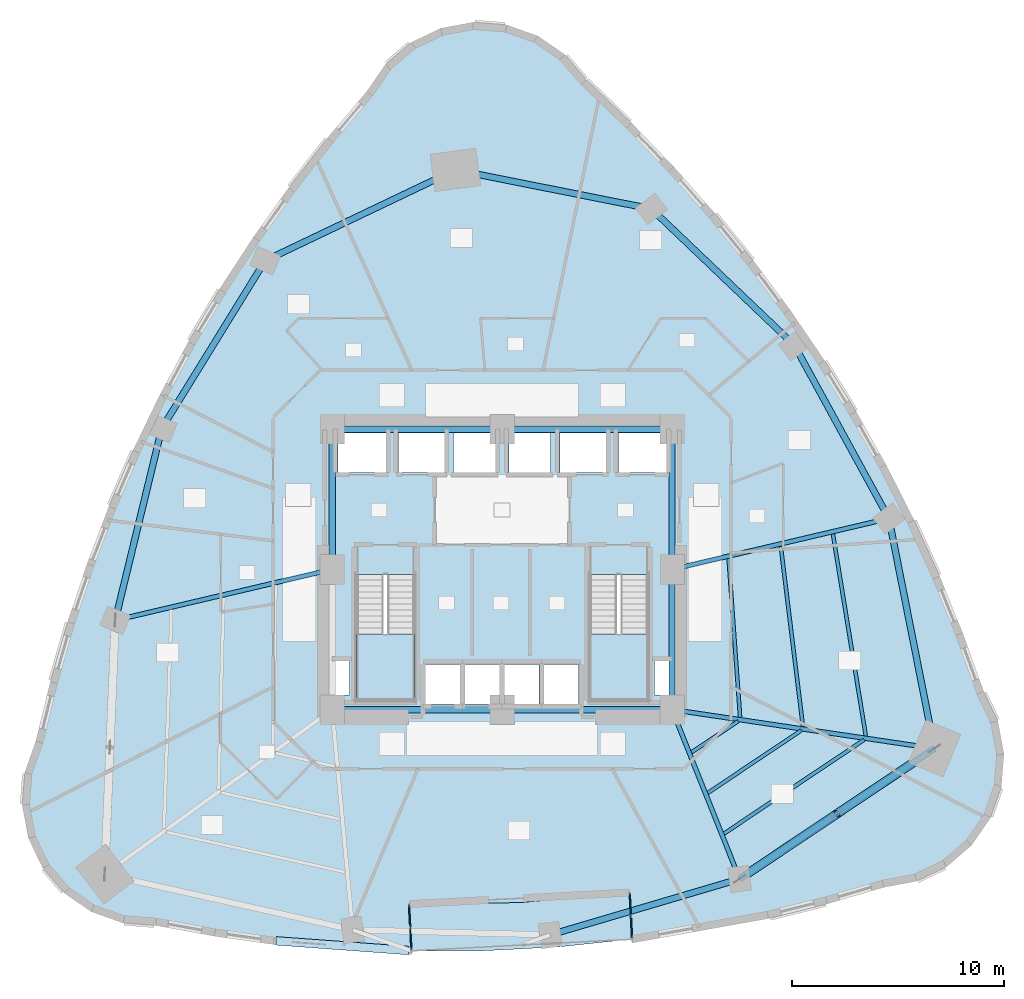
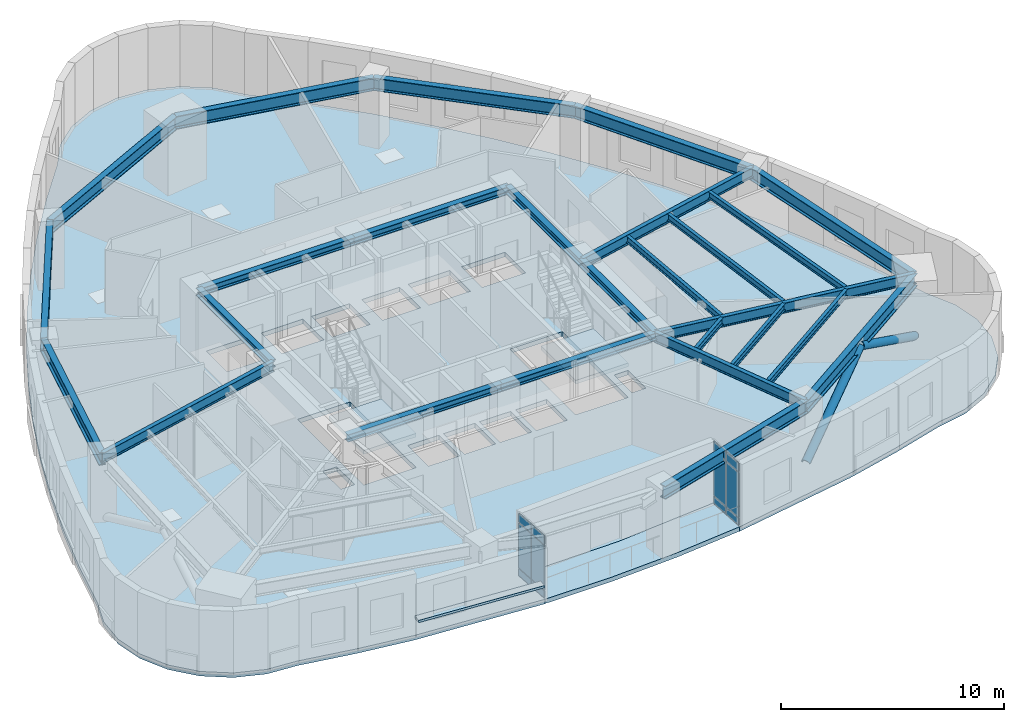
# One storey, part 3 of 11: 26 beams, 13 plates, 4 slabs, 2 members, 4 elements without a shape of their own.
"""IFC4 building model written with IfcOpenShell, lengths in metres."""

from ifc_helpers import new_model, si_unit, direction, frame, origin, origin_2d, place, context, subcontext, project, spatial, polyline, rectangle, hollow_circle, i_section, outline, extrude, material, layer, layer_set, material_profile, profile_set, type_object, element, aggregate, save


model = new_model("IFC4")

# Units and contexts
model_context = context("Model", 3, precision=1e-05, world=origin(), true_north=direction((0.0, 1.0)))
body_context = subcontext(model_context, "Body", "Model", "MODEL_VIEW")
ifc_project = project(units=[si_unit("LENGTHUNIT", "METRE"), si_unit("AREAUNIT", "SQUARE_METRE"), si_unit("VOLUMEUNIT", "CUBIC_METRE"), si_unit("PLANEANGLEUNIT", "RADIAN"), si_unit("MASSUNIT", "GRAM", prefix="KILO")], contexts=[model_context])

# Site, building, storey
site_placement = place(None, origin())
site = spatial("IfcSite", under=ifc_project, at=site_placement, CompositionType="ELEMENT")
building_placement = place(site_placement, origin())
building = spatial("IfcBuilding", under=site, at=building_placement, Name="Ndelora Gate Hotel", CompositionType="ELEMENT")
storey_placement = place(building_placement, frame((0.0, 0.0, 41.75)))
storey = spatial("IfcBuildingStorey", under=building, at=storey_placement, Name="L09", CompositionType="ELEMENT", Elevation=41.75)

# Beams
ifc_material_1 = material(Name="Steel S355", Category="steel")
ifc_material_profile_1 = material_profile(ifc_material_1, i_section(OverallWidth=0.300048828125, OverallDepth=0.39990234375, WebThickness=0.013427734375, FlangeThickness=0.02392578125, FilletRadius=0.027099609375, at=origin_2d()), Name="HEB 400")
ifc_profile_set_1 = profile_set([ifc_material_profile_1], Name="Steel S355")
beam_type_1 = type_object("IfcBeamType", Name="BM-CORE-400", PredefinedType="BEAM", material=ifc_profile_set_1)
for number, where, z_axis, x_axis, name in (
    (1, (-8.0, 6.60009765625, 3.300048828125), (1.0, 0.0, 0.0), (0.0, 1.0, 0.0), "L09 Core Tie Girder CC7-CC6"),
    (2, (0.0, 6.60009765625, 3.300048828125), (1.0, 0.0, 0.0), (0.0, 1.0, 0.0), "L09 Core Tie Girder CC6-CC5"),
):
    element("IfcBeam", number, at=place(storey_placement, frame(where, z_axis=z_axis, x_axis=x_axis)), inside=storey, type_object=beam_type_1, Name=name, PredefinedType="BEAM", context=body_context, shape_type="SweptSolid", body=[
        extrude(i_section(OverallWidth=0.300048828125, OverallDepth=0.39990234375, WebThickness=0.013427734375, FlangeThickness=0.02392578125, FilletRadius=0.027099609375, at=origin_2d()), origin(), (0.0, 0.0, 1.0), 8.0),
    ])
for number, where, z_axis, x_axis, name in (
    (3, (-8.0, 0.0, 3.300048828125), (0.0, 1.0, 0.0), (-1.0, 0.0, 0.0), "L09 Core Tie Girder CC8-CC7"),
    (4, (8.0, -6.60009765625, 3.300048828125), (0.0, 1.0, 0.0), (-1.0, 0.0, 0.0), "L09 Core Tie Girder CC3-CC4"),
    (5, (8.0, 0.0, 3.300048828125), (0.0, 1.0, 0.0), (-1.0, 0.0, 0.0), "L09 Core Tie Girder CC4-CC5"),
):
    element("IfcBeam", number, at=place(storey_placement, frame(where, z_axis=z_axis, x_axis=x_axis)), inside=storey, type_object=beam_type_1, Name=name, PredefinedType="BEAM", context=body_context, shape_type="SweptSolid", body=[
        extrude(i_section(OverallWidth=0.300048828125, OverallDepth=0.39990234375, WebThickness=0.013427734375, FlangeThickness=0.02392578125, FilletRadius=0.027099609375, at=origin_2d()), origin(), (0.0, 0.0, 1.0), 6.60009765625),
    ])
for number, where, z_axis, x_axis, name in (
    (6, (-8.0, -6.60009765625, 3.300048828125), (1.0, 0.0, 0.0), (0.0, 1.0, 0.0), "L09 Core Tie Girder CC1-CC2"),
    (7, (0.0, -6.60009765625, 3.300048828125), (1.0, 0.0, 0.0), (0.0, 1.0, 0.0), "L09 Core Tie Girder CC2-CC3"),
):
    element("IfcBeam", number, at=place(storey_placement, frame(where, z_axis=z_axis, x_axis=x_axis)), inside=storey, type_object=beam_type_1, Name=name, PredefinedType="BEAM", context=body_context, shape_type="SweptSolid", body=[
        extrude(i_section(OverallWidth=0.300048828125, OverallDepth=0.39990234375, WebThickness=0.013427734375, FlangeThickness=0.02392578125, FilletRadius=0.027099609375, at=origin_2d()), origin(), (0.0, 0.0, 1.0), 8.0),
    ])
ifc_material_profile_2 = material_profile(ifc_material_1, i_section(OverallWidth=0.169921875, OverallDepth=0.360107421875, WebThickness=0.008056640625, FlangeThickness=0.0126953125, FilletRadius=0.01806640625, at=origin_2d()), Name="IPE 360")
ifc_profile_set_2 = profile_set([ifc_material_profile_2], Name="Steel S355")
beam_type_2 = type_object("IfcBeamType", Name="BM-JST-360", PredefinedType="JOIST", material=ifc_profile_set_2)
beam_1_placement = place(storey_placement, frame((8.922119140625, -8.608154296875, 3.320068359375), z_axis=(0.830952990267, 0.556342635402, 0.0), x_axis=(-0.556342635402, 0.830952990267, 0.0)))
element("IfcBeam", 8, at=beam_1_placement, inside=storey, type_object=beam_type_2, Name="L09 Secondary Composite Floor Joist IN-8", PredefinedType="JOIST", context=body_context, shape_type="SweptSolid", body=[
    extrude(i_section(OverallWidth=0.169921875, OverallDepth=0.360107421875, WebThickness=0.008056640625, FlangeThickness=0.0126953125, FilletRadius=0.01806640625, at=origin_2d()), origin(), (0.0, 0.0, 1.0), 2.6396484375),
])
beam_2_placement = place(storey_placement, frame((9.685302734375, -10.520751953125, 3.320068359375), z_axis=(0.83093347578, 0.556371781121, 0.0), x_axis=(-0.556371781121, 0.83093347578, 0.0)))
element("IfcBeam", 9, at=beam_2_placement, inside=storey, type_object=beam_type_2, Name="L09 Secondary Composite Floor Joist MID-8", PredefinedType="JOIST", context=body_context, shape_type="SweptSolid", body=[
    extrude(i_section(OverallWidth=0.169921875, OverallDepth=0.360107421875, WebThickness=0.008056640625, FlangeThickness=0.0126953125, FilletRadius=0.01806640625, at=origin_2d()), origin(), (0.0, 0.0, 1.0), 5.2880859375),
])
beam_3_placement = place(storey_placement, frame((10.448486328125, -12.433349609375, 3.320068359375), z_axis=(0.830936507521, 0.556367253231, 0.0), x_axis=(-0.556367253231, 0.830936507521, 0.0)))
element("IfcBeam", 10, at=beam_3_placement, inside=storey, type_object=beam_type_2, Name="L09 Secondary Composite Floor Joist OUT-8", PredefinedType="JOIST", context=body_context, shape_type="SweptSolid", body=[
    extrude(i_section(OverallWidth=0.169921875, OverallDepth=0.360107421875, WebThickness=0.008056640625, FlangeThickness=0.0126953125, FilletRadius=0.01806640625, at=origin_2d()), origin(), (0.0, 0.0, 1.0), 7.936767578125),
])
beam_4_placement = place(storey_placement, frame((11.20263671875, -6.9609375, 3.320068359375), z_axis=(-0.072176031603, 0.997391909162, 0.0), x_axis=(-0.997391909162, -0.072176031603, 0.0)))
element("IfcBeam", 11, at=beam_4_placement, inside=storey, type_object=beam_type_2, Name="L09 Secondary Composite Floor Joist IN-9", PredefinedType="JOIST", context=body_context, shape_type="SweptSolid", body=[
    extrude(i_section(OverallWidth=0.169921875, OverallDepth=0.360107421875, WebThickness=0.008056640625, FlangeThickness=0.0126953125, FilletRadius=0.01806640625, at=origin_2d()), origin(), (0.0, 0.0, 1.0), 7.489013671875),
])
beam_5_placement = place(storey_placement, frame((14.160888671875, -7.400390625, 3.320068359375), z_axis=(-0.122030984704, 0.992526291225, 0.0), x_axis=(-0.992526291225, -0.122030984704, 0.0)))
element("IfcBeam", 12, at=beam_5_placement, inside=storey, type_object=beam_type_2, Name="L09 Secondary Composite Floor Joist MID-9", PredefinedType="JOIST", context=body_context, shape_type="SweptSolid", body=[
    extrude(i_section(OverallWidth=0.169921875, OverallDepth=0.360107421875, WebThickness=0.008056640625, FlangeThickness=0.0126953125, FilletRadius=0.01806640625, at=origin_2d()), origin(), (0.0, 0.0, 1.0), 8.548828125),
])
beam_6_placement = place(storey_placement, frame((17.12060546875, -7.840087890625, 3.320068359375), z_axis=(-0.160901992796, 0.986970388975, 0.0), x_axis=(-0.986970388975, -0.160901992796, 0.0)))
element("IfcBeam", 13, at=beam_6_placement, inside=storey, type_object=beam_type_2, Name="L09 Secondary Composite Floor Joist OUT-9", PredefinedType="JOIST", context=body_context, shape_type="SweptSolid", body=[
    extrude(i_section(OverallWidth=0.169921875, OverallDepth=0.360107421875, WebThickness=0.008056640625, FlangeThickness=0.0126953125, FilletRadius=0.01806640625, at=origin_2d()), origin(), (0.0, 0.0, 1.0), 9.6259765625),
])
ifc_material_profile_3 = material_profile(ifc_material_1, i_section(OverallWidth=0.2099609375, OverallDepth=0.550048828125, WebThickness=0.010986328125, FlangeThickness=0.01708984375, FilletRadius=0.02392578125, at=origin_2d()), Name="IPE 550")
ifc_profile_set_3 = profile_set([ifc_material_profile_3], Name="Steel S355")
beam_type_3 = type_object("IfcBeamType", Name="BM-RAD-550", PredefinedType="BEAM", material=ifc_profile_set_3)
beam_7_placement = place(storey_placement, frame((-8.0, 0.0, 3.22509765625), z_axis=(-0.973517848051, -0.22861102232, 0.0), x_axis=(0.22861102232, -0.973517848051, 0.0)))
element("IfcBeam", 14, at=beam_7_placement, inside=storey, type_object=beam_type_3, Name="L09 Radial Floor Girder 4", PredefinedType="BEAM", context=body_context, shape_type="SweptSolid", body=[
    extrude(i_section(OverallWidth=0.2099609375, OverallDepth=0.550048828125, WebThickness=0.010986328125, FlangeThickness=0.01708984375, FilletRadius=0.02392578125, at=origin_2d()), origin(), (0.0, 0.0, 1.0), 10.48486328125),
])
beam_8_placement = place(storey_placement, frame((8.0, -6.60009765625, 3.22509765625), z_axis=(0.37056142644, -0.92880796144, 0.0), x_axis=(0.92880796144, 0.37056142644, 0.0)))
element("IfcBeam", 15, at=beam_8_placement, inside=storey, type_object=beam_type_3, Name="L09 Radial Floor Girder 8", PredefinedType="BEAM", context=body_context, shape_type="SweptSolid", body=[
    extrude(i_section(OverallWidth=0.2099609375, OverallDepth=0.550048828125, WebThickness=0.010986328125, FlangeThickness=0.01708984375, FilletRadius=0.02392578125, at=origin_2d()), origin(), (0.0, 0.0, 1.0), 8.580078125),
])
beam_9_placement = place(storey_placement, frame((8.0, -6.60009765625, 3.22509765625), z_axis=(0.989209761041, -0.146506138649, 0.0), x_axis=(0.146506138649, 0.989209761041, 0.0)))
element("IfcBeam", 16, at=beam_9_placement, inside=storey, type_object=beam_type_3, Name="L09 Radial Floor Girder 9", PredefinedType="BEAM", context=body_context, shape_type="SweptSolid", body=[
    extrude(i_section(OverallWidth=0.2099609375, OverallDepth=0.550048828125, WebThickness=0.010986328125, FlangeThickness=0.01708984375, FilletRadius=0.02392578125, at=origin_2d()), origin(), (0.0, 0.0, 1.0), 12.48486328125),
])
beam_10_placement = place(storey_placement, frame((8.0, 0.0, 3.22509765625), z_axis=(0.973517848051, 0.22861102232, 0.0), x_axis=(-0.22861102232, 0.973517848051, 0.0)))
element("IfcBeam", 17, at=beam_10_placement, inside=storey, type_object=beam_type_3, Name="L09 Radial Floor Girder 10", PredefinedType="BEAM", context=body_context, shape_type="SweptSolid", body=[
    extrude(i_section(OverallWidth=0.2099609375, OverallDepth=0.550048828125, WebThickness=0.010986328125, FlangeThickness=0.01708984375, FilletRadius=0.02392578125, at=origin_2d()), origin(), (0.0, 0.0, 1.0), 10.48486328125),
])
ifc_material_profile_4 = material_profile(ifc_material_1, i_section(OverallWidth=0.300048828125, OverallDepth=0.699951171875, WebThickness=0.01708984375, FlangeThickness=0.031982421875, FilletRadius=0.027099609375, at=origin_2d()), Name="HEB 700")
ifc_profile_set_4 = profile_set([ifc_material_profile_4], Name="Steel S355")
beam_type_4 = type_object("IfcBeamType", Name="BM-RING-700", PredefinedType="SPANDREL", material=ifc_profile_set_4)
beam_11_placement = place(storey_placement, frame((-2.199951171875, 18.800048828125, 3.14990234375), z_axis=(-0.902476034566, -0.43074006899, 0.0), x_axis=(0.43074006899, -0.902476034566, 0.0)))
element("IfcBeam", 18, at=beam_11_placement, inside=storey, type_object=beam_type_4, Name="L09 Perimeter Spandrel Girder 1", PredefinedType="SPANDREL", context=body_context, shape_type="SweptSolid", body=[
    extrude(i_section(OverallWidth=0.300048828125, OverallDepth=0.699951171875, WebThickness=0.01708984375, FlangeThickness=0.031982421875, FilletRadius=0.027099609375, at=origin_2d()), origin(), (0.0, 0.0, 1.0), 9.91552734375),
])
beam_12_placement = place(storey_placement, frame((-11.1484375, 14.529052734375, 3.14990234375), z_axis=(-0.524897602516, -0.851165381623, 0.0), x_axis=(0.851165381623, -0.524897602516, 0.0)))
element("IfcBeam", 19, at=beam_12_placement, inside=storey, type_object=beam_type_4, Name="L09 Perimeter Spandrel Girder 2", PredefinedType="SPANDREL", context=body_context, shape_type="SweptSolid", body=[
    extrude(i_section(OverallWidth=0.300048828125, OverallDepth=0.699951171875, WebThickness=0.01708984375, FlangeThickness=0.031982421875, FilletRadius=0.027099609375, at=origin_2d()), origin(), (0.0, 0.0, 1.0), 9.27490234375),
])
beam_13_placement = place(storey_placement, frame((-16.016845703125, 6.634521484375, 3.14990234375), z_axis=(-0.235699273714, -0.971826040179, 0.0), x_axis=(0.971826040179, -0.235699273714, 0.0)))
element("IfcBeam", 20, at=beam_13_placement, inside=storey, type_object=beam_type_4, Name="L09 Perimeter Spandrel Girder 3", PredefinedType="SPANDREL", context=body_context, shape_type="SweptSolid", body=[
    extrude(i_section(OverallWidth=0.300048828125, OverallDepth=0.699951171875, WebThickness=0.01708984375, FlangeThickness=0.031982421875, FilletRadius=0.027099609375, at=origin_2d()), origin(), (0.0, 0.0, 1.0), 9.293212890625),
])
beam_14_placement = place(storey_placement, frame((2.2646484375, -17.20166015625, 3.14990234375), z_axis=(0.959064248316, 0.283188572514, 0.0), x_axis=(-0.283188572514, 0.959064248316, 0.0)))
element("IfcBeam", 21, at=beam_14_placement, inside=storey, type_object=beam_type_4, Name="L09 Perimeter Spandrel Girder 7", PredefinedType="SPANDREL", context=body_context, shape_type="SweptSolid", body=[
    extrude(i_section(OverallWidth=0.300048828125, OverallDepth=0.699951171875, WebThickness=0.01708984375, FlangeThickness=0.031982421875, FilletRadius=0.027099609375, at=origin_2d()), origin(), (0.0, 0.0, 1.0), 9.29541015625),
])
beam_15_placement = place(storey_placement, frame((11.179443359375, -14.5693359375, 3.14990234375), z_axis=(0.830945983886, 0.556353099985, 0.0), x_axis=(-0.556353099985, 0.830945983886, 0.0)))
element("IfcBeam", 22, at=beam_15_placement, inside=storey, type_object=beam_type_4, Name="L09 Perimeter Spandrel Girder 8", PredefinedType="SPANDREL", context=body_context, shape_type="SweptSolid", body=[
    extrude(i_section(OverallWidth=0.300048828125, OverallDepth=0.699951171875, WebThickness=0.01708984375, FlangeThickness=0.031982421875, FilletRadius=0.027099609375, at=origin_2d()), origin(), (0.0, 0.0, 1.0), 11.036376953125),
])
beam_16_placement = place(storey_placement, frame((20.35009765625, -8.42919921875, 3.14990234375), z_axis=(-0.194163071691, 0.980969266385, 0.0), x_axis=(-0.980969266385, -0.194163071691, 0.0)))
element("IfcBeam", 23, at=beam_16_placement, inside=storey, type_object=beam_type_4, Name="L09 Perimeter Spandrel Girder 9", PredefinedType="SPANDREL", context=body_context, shape_type="SweptSolid", body=[
    extrude(i_section(OverallWidth=0.300048828125, OverallDepth=0.699951171875, WebThickness=0.01708984375, FlangeThickness=0.031982421875, FilletRadius=0.027099609375, at=origin_2d()), origin(), (0.0, 0.0, 1.0), 11.0361328125),
])
for number, where, z_axis, x_axis, name in (
    (24, (18.207275390625, 2.39697265625, 3.14990234375), (-0.479203651005, 0.87770374322, 0.0), (-0.87770374322, -0.479203651005, 0.0), "L09 Perimeter Spandrel Girder 10"),
    (25, (13.75390625, 10.5537109375, 3.14990234375), (-0.723784227769, 0.690026370244, 0.0), (-0.690026370244, -0.723784227769, 0.0), "L09 Perimeter Spandrel Girder 11"),
):
    element("IfcBeam", number, at=place(storey_placement, frame(where, z_axis=z_axis, x_axis=x_axis)), inside=storey, type_object=beam_type_4, Name=name, PredefinedType="SPANDREL", context=body_context, shape_type="SweptSolid", body=[
        extrude(i_section(OverallWidth=0.300048828125, OverallDepth=0.699951171875, WebThickness=0.01708984375, FlangeThickness=0.031982421875, FilletRadius=0.027099609375, at=origin_2d()), origin(), (0.0, 0.0, 1.0), 9.293212890625),
    ])
beam_17_placement = place(storey_placement, frame((7.027587890625, 16.96630859375, 3.14990234375), z_axis=(-0.980820478164, 0.194913287424, 0.0), x_axis=(-0.194913287424, -0.980820478164, 0.0)))
element("IfcBeam", 26, at=beam_17_placement, inside=storey, type_object=beam_type_4, Name="L09 Perimeter Spandrel Girder 12", PredefinedType="SPANDREL", context=body_context, shape_type="SweptSolid", body=[
    extrude(i_section(OverallWidth=0.300048828125, OverallDepth=0.699951171875, WebThickness=0.01708984375, FlangeThickness=0.031982421875, FilletRadius=0.027099609375, at=origin_2d()), origin(), (0.0, 0.0, 1.0), 9.407958984375),
])

# Members
ifc_material_profile_5 = material_profile(ifc_material_1, hollow_circle(Radius=0.202880859375, WallThickness=0.02001953125, at=origin_2d()), Name="CHS 406x20")
ifc_profile_set_5 = profile_set([ifc_material_profile_5], Name="Steel S355")
member_type = type_object("IfcMemberType", Name="MB-TUBE-406", PredefinedType="BRACE", material=ifc_profile_set_5)
for number, where, z_axis, x_axis, name in (
    (27, (11.179443359375, -14.5693359375, 0.02001953125), (0.73391932444, 0.491376610842, 0.468947173496), (-0.556342873424, 0.830952830906, 0.0), "L09 Perimeter Braced-Tube Diagonal 8A"),
    (28, (20.35009765625, -8.42919921875, 0.02001953125), (-0.733901295617, -0.491390702965, 0.468960622368), (0.556363326838, -0.830939136489, 0.0), "L09 Perimeter Braced-Tube Diagonal 8B"),
):
    element("IfcMember", number, at=place(storey_placement, frame(where, z_axis=z_axis, x_axis=x_axis)), inside=storey, type_object=member_type, Name=name, PredefinedType="BRACE", context=body_context, shape_type="SweptSolid", body=[
        extrude(hollow_circle(Radius=0.202880859375, WallThickness=0.02001953125, at=origin_2d()), origin(), (0.0, 0.0, 1.0), 6.247802734375),
    ])

# Curtain wall, plates
ifc_material_2 = material(Name="Bronze Anodised Unitised Aluminium and Low-E Glass", Category="aluminium")
ifc_layer_1 = layer(ifc_material_2, 0.199951171875)
ifc_layer_set_1 = layer_set([ifc_layer_1], Name="Bronze Anodised Unitised Aluminium and Low-E Glass")
curtain_wall_type = type_object("IfcCurtainWallType", Name="CW-SYS-3", PredefinedType="NOTDEFINED", material=ifc_layer_set_1)
curtain_wall_1_placement = place(storey_placement, origin())
curtain_wall_1 = element("IfcCurtainWall", 29, at=curtain_wall_1_placement, inside=storey, type_object=curtain_wall_type, Name="L09 Sky-Garden Loggia Side Curtain Wall CW3-1", PredefinedType="NOTDEFINED")
ifc_material_3 = material(Name="Solar-Control Low-E Insulated Glazing", Category="glass")
ifc_layer_2 = layer(ifc_material_3, 0.048095703125)
ifc_layer_set_2 = layer_set([ifc_layer_2], Name="Solar-Control Low-E Insulated Glazing")
plate_type_1 = type_object("IfcPlateType", Name="PL-CW-GLZ36", PredefinedType="CURTAIN_PANEL", material=ifc_layer_set_2)
plate_1_placement = place(storey_placement, frame((-4.35205078125, -16.318115234375, 0.05908203125), z_axis=(0.0, 0.0, 1.0), x_axis=(0.052363203389, -0.998628106419, 0.0)))
plate_1 = element("IfcPlate", 30, at=plate_1_placement, type_object=plate_type_1, Name="CW3 panel 1.1", PredefinedType="CURTAIN_PANEL", context=body_context, shape_type="SweptSolid", body=[
    extrude(rectangle(XDim=1.014404296875, YDim=0.048095703125, at=origin_2d()), origin(), (0.0, 0.0, 1.0), 0.364501953125),
])
plate_2_placement = place(storey_placement, frame((-4.35205078125, -16.318115234375, 0.4765625), z_axis=(0.0, 0.0, 1.0), x_axis=(0.052363203389, -0.998628106419, 0.0)))
plate_2 = element("IfcPlate", 31, at=plate_2_placement, type_object=plate_type_1, Name="CW3 panel 1.2", PredefinedType="CURTAIN_PANEL", context=body_context, shape_type="SweptSolid", body=[
    extrude(rectangle(XDim=1.014404296875, YDim=0.048095703125, at=origin_2d()), origin(), (0.0, 0.0, 1.0), 2.447021484375),
])
plate_3_placement = place(storey_placement, frame((-4.35205078125, -16.318115234375, 2.9765625), z_axis=(0.0, 0.0, 1.0), x_axis=(0.052363203389, -0.998628106419, 0.0)))
plate_3 = element("IfcPlate", 32, at=plate_3_placement, type_object=plate_type_1, Name="CW3 panel 1.3", PredefinedType="CURTAIN_PANEL", context=body_context, shape_type="SweptSolid", body=[
    extrude(rectangle(XDim=1.014404296875, YDim=0.048095703125, at=origin_2d()), origin(), (0.0, 0.0, 1.0), 0.464599609375),
])
plate_4_placement = place(storey_placement, frame((-4.296142578125, -17.38427734375, 0.05908203125), z_axis=(0.0, 0.0, 1.0), x_axis=(0.052363203389, -0.998628106419, 0.0)))
plate_4 = element("IfcPlate", 33, at=plate_4_placement, type_object=plate_type_1, Name="CW3 panel 2.1", PredefinedType="CURTAIN_PANEL", context=body_context, shape_type="SweptSolid", body=[
    extrude(rectangle(XDim=1.014404296875, YDim=0.048095703125, at=origin_2d()), origin(), (0.0, 0.0, 1.0), 0.364501953125),
])
plate_5_placement = place(storey_placement, frame((-4.296142578125, -17.38427734375, 0.4765625), z_axis=(0.0, 0.0, 1.0), x_axis=(0.052363203389, -0.998628106419, 0.0)))
plate_5 = element("IfcPlate", 34, at=plate_5_placement, type_object=plate_type_1, Name="CW3 panel 2.2", PredefinedType="CURTAIN_PANEL", context=body_context, shape_type="SweptSolid", body=[
    extrude(rectangle(XDim=1.014404296875, YDim=0.048095703125, at=origin_2d()), origin(), (0.0, 0.0, 1.0), 2.447021484375),
])
plate_6_placement = place(storey_placement, frame((-4.296142578125, -17.38427734375, 2.9765625), z_axis=(0.0, 0.0, 1.0), x_axis=(0.052363203389, -0.998628106419, 0.0)))
plate_6 = element("IfcPlate", 35, at=plate_6_placement, type_object=plate_type_1, Name="CW3 panel 2.3", PredefinedType="CURTAIN_PANEL", context=body_context, shape_type="SweptSolid", body=[
    extrude(rectangle(XDim=1.014404296875, YDim=0.048095703125, at=origin_2d()), origin(), (0.0, 0.0, 1.0), 0.464599609375),
])
aggregate(curtain_wall_1, [plate_1, plate_2, plate_3, plate_4, plate_5, plate_6])

curtain_wall_2_placement = place(storey_placement, origin())
curtain_wall_2 = element("IfcCurtainWall", 36, at=curtain_wall_2_placement, inside=storey, type_object=curtain_wall_type, Name="L09 Sky-Garden Loggia Side Curtain Wall CW3-2", PredefinedType="NOTDEFINED")
plate_7_placement = place(storey_placement, frame((6.089599609375, -16.83984375, 0.05908203125), z_axis=(0.0, 0.0, 1.0), x_axis=(-0.052317873695, 0.998630482257, 0.0)))
plate_7 = element("IfcPlate", 37, at=plate_7_placement, type_object=plate_type_1, Name="CW3 panel 1.1", PredefinedType="CURTAIN_PANEL", context=body_context, shape_type="SweptSolid", body=[
    extrude(rectangle(XDim=1.014404296875, YDim=0.048095703125, at=origin_2d()), origin(), (0.0, 0.0, 1.0), 0.364501953125),
])
plate_8_placement = place(storey_placement, frame((6.089599609375, -16.83984375, 0.4765625), z_axis=(0.0, 0.0, 1.0), x_axis=(-0.052317873695, 0.998630482257, 0.0)))
plate_8 = element("IfcPlate", 38, at=plate_8_placement, type_object=plate_type_1, Name="CW3 panel 1.2", PredefinedType="CURTAIN_PANEL", context=body_context, shape_type="SweptSolid", body=[
    extrude(rectangle(XDim=1.014404296875, YDim=0.048095703125, at=origin_2d()), origin(), (0.0, 0.0, 1.0), 2.447021484375),
])
plate_9_placement = place(storey_placement, frame((6.089599609375, -16.83984375, 2.9765625), z_axis=(0.0, 0.0, 1.0), x_axis=(-0.052317873695, 0.998630482257, 0.0)))
plate_9 = element("IfcPlate", 39, at=plate_9_placement, type_object=plate_type_1, Name="CW3 panel 1.3", PredefinedType="CURTAIN_PANEL", context=body_context, shape_type="SweptSolid", body=[
    extrude(rectangle(XDim=1.014404296875, YDim=0.048095703125, at=origin_2d()), origin(), (0.0, 0.0, 1.0), 0.464599609375),
])
plate_10_placement = place(storey_placement, frame((6.033935546875, -15.77392578125, 0.05908203125), z_axis=(0.0, 0.0, 1.0), x_axis=(-0.052317873695, 0.998630482257, 0.0)))
plate_10 = element("IfcPlate", 40, at=plate_10_placement, type_object=plate_type_1, Name="CW3 panel 2.1", PredefinedType="CURTAIN_PANEL", context=body_context, shape_type="SweptSolid", body=[
    extrude(rectangle(XDim=1.014404296875, YDim=0.048095703125, at=origin_2d()), origin(), (0.0, 0.0, 1.0), 0.364501953125),
])
plate_11_placement = place(storey_placement, frame((6.033935546875, -15.77392578125, 0.4765625), z_axis=(0.0, 0.0, 1.0), x_axis=(-0.052317873695, 0.998630482257, 0.0)))
plate_11 = element("IfcPlate", 41, at=plate_11_placement, type_object=plate_type_1, Name="CW3 panel 2.2", PredefinedType="CURTAIN_PANEL", context=body_context, shape_type="SweptSolid", body=[
    extrude(rectangle(XDim=1.014404296875, YDim=0.048095703125, at=origin_2d()), origin(), (0.0, 0.0, 1.0), 2.447021484375),
])
plate_12_placement = place(storey_placement, frame((6.033935546875, -15.77392578125, 2.9765625), z_axis=(0.0, 0.0, 1.0), x_axis=(-0.052317873695, 0.998630482257, 0.0)))
plate_12 = element("IfcPlate", 42, at=plate_12_placement, type_object=plate_type_1, Name="CW3 panel 2.3", PredefinedType="CURTAIN_PANEL", context=body_context, shape_type="SweptSolid", body=[
    extrude(rectangle(XDim=1.014404296875, YDim=0.048095703125, at=origin_2d()), origin(), (0.0, 0.0, 1.0), 0.464599609375),
])
aggregate(curtain_wall_2, [plate_7, plate_8, plate_9, plate_10, plate_11, plate_12])

# Plate
ifc_material_4 = material(Name="Precast concrete C40/50", Category="concrete")
ifc_layer_3 = layer(ifc_material_4, 0.125)
ifc_layer_set_3 = layer_set([ifc_layer_3], Name="Precast concrete C40/50")
plate_type_2 = type_object("IfcPlateType", Name="PL-SILL-120", PredefinedType="USERDEFINED", material=ifc_layer_set_3)
plate_13_placement = place(storey_placement, frame((-7.515625, -17.7119140625, 0.78759765625), z_axis=(0.0, 0.0, 1.0), x_axis=(-0.997327244511, 0.0730641318, 0.0)))
element("IfcPlate", 43, at=plate_13_placement, inside=storey, type_object=plate_type_2, Name="L09 Streamline Precast Ribbon Sill 31", ObjectType="RIBBON_SILL", PredefinedType="USERDEFINED", context=body_context, shape_type="SweptSolid", body=[
    extrude(rectangle(XDim=6.26611328125, YDim=0.39990234375, at=origin_2d()), origin(), (0.0, 0.0, 1.0), 0.125),
])

# Stair, slab
stair_type = type_object("IfcStairType", Name="STR-DOG-CORE", PredefinedType="HALF_TURN_STAIR", material=ifc_material_4)
stair_1_placement = place(storey_placement, origin())
stair_1 = element("IfcStair", 44, at=stair_1_placement, inside=storey, type_object=stair_type, Name="L09 Protected Core Exit Stair ST4", PredefinedType="HALF_TURN_STAIR")
ifc_layer_4 = layer(ifc_material_4, 0.219970703125)
ifc_layer_set_4 = layer_set([ifc_layer_4], Name="Precast concrete C40/50")
slab_type_1 = type_object("IfcSlabType", Name="SL-LAND-220", PredefinedType="LANDING", material=ifc_layer_set_4)
slab_1_placement = place(storey_placement, frame((0.0, 0.0, 1.675048828125)))
slab_1 = element("IfcSlab", 45, at=slab_1_placement, type_object=slab_type_1, Name="ST4 landing 1", PredefinedType="LANDING", context=body_context, shape_type="SweptSolid", body=[
    extrude(outline(polyline([(-6.85009765625, -3.030029296875), (-6.85009765625, -6.14990234375), (-4.1298828125, -6.14990234375), (-4.1298828125, -3.030029296875), (-6.85009765625, -3.030029296875)])), origin(), (0.0, 0.0, 1.0), 0.199951171875),
])
aggregate(stair_1, [slab_1])

stair_2_placement = place(storey_placement, origin())
stair_2 = element("IfcStair", 46, at=stair_2_placement, inside=storey, type_object=stair_type, Name="L09 Protected Core Exit Stair ST5", PredefinedType="HALF_TURN_STAIR")
slab_2_placement = place(storey_placement, frame((0.0, 0.0, 1.675048828125)))
slab_2 = element("IfcSlab", 47, at=slab_2_placement, type_object=slab_type_1, Name="ST5 landing 1", PredefinedType="LANDING", context=body_context, shape_type="SweptSolid", body=[
    extrude(outline(polyline([(4.1298828125, -3.030029296875), (4.1298828125, -6.14990234375), (6.85009765625, -6.14990234375), (6.85009765625, -3.030029296875), (4.1298828125, -3.030029296875)])), origin(), (0.0, 0.0, 1.0), 0.199951171875),
])
aggregate(stair_2, [slab_2])

# Slabs
ifc_layer_5 = layer(ifc_material_4, 0.239990234375)
ifc_layer_set_5 = layer_set([ifc_layer_5], Name="Precast concrete C40/50")
slab_type_2 = type_object("IfcSlabType", Name="SL-TER-240", PredefinedType="FLOOR", material=ifc_layer_set_5)
slab_3_placement = place(storey_placement, frame((0.0, 0.0, -0.239990234375)))
element("IfcSlab", 48, at=slab_3_placement, inside=storey, type_object=slab_type_2, Name="L09 Sky Garden Loggia Terrace Slab", PredefinedType="FLOOR", context=body_context, shape_type="SweptSolid", body=[
    extrude(outline(polyline([(-4.381591796875, -15.752685546875), (-4.266357421875, -17.94970703125), (-0.829833984375, -17.948486328125), (2.701416015625, -17.763427734375), (6.119384765625, -17.405517578125), (6.004150390625, -15.20849609375), (0.822021484375, -15.682373046875), (-4.381591796875, -15.752685546875)])), origin(), (0.0, 0.0, 1.0), 0.239990234375),
])
ifc_material_5 = material(Name="Concrete C40/50", Category="concrete")
ifc_layer_6 = layer(ifc_material_5, 0.25)
ifc_layer_set_6 = layer_set([ifc_layer_6], Name="Concrete C40/50")
slab_type_3 = type_object("IfcSlabType", Name="SL-TWR-250", PredefinedType="FLOOR", material=ifc_layer_set_6)
slab_4_placement = place(storey_placement, frame((0.0, 0.0, -0.25)))
element("IfcSlab", 49, at=slab_4_placement, inside=storey, type_object=slab_type_3, Name="L09 Structural Floor Slab", PredefinedType="FLOOR", context=body_context, shape_type="SweptSolid", body=[
    extrude(outline(polyline([(3.82763671875, 22.939697265625), (2.84423828125, 24.0908203125), (1.596435546875, 24.948486328125), (0.169189453125, 25.4541015625), (-1.340087890625, 25.57275390625), (-2.8291015625, 25.296875), (-4.195556640625, 24.64501953125), (-5.346923828125, 23.66162109375), (-6.20458984375, 22.413818359375), (-8.101318359375, 20.171630859375), (-9.889404296875, 17.873779296875), (-11.568603515625, 15.520751953125), (-13.138916015625, 13.112060546875), (-14.60009765625, 10.64794921875), (-15.952392578125, 8.128173828125), (-17.196044921875, 5.552978515625), (-18.33056640625, 2.92236328125), (-19.3564453125, 0.236328125), (-20.273193359375, -2.50537109375), (-21.0810546875, -5.302490234375), (-21.780029296875, -8.155029296875), (-22.285400390625, -9.582275390625), (-22.404296875, -11.091796875), (-22.12841796875, -12.580322265625), (-21.4765625, -13.947021484375), (-20.4931640625, -15.098388671875), (-19.245361328125, -15.9560546875), (-17.818115234375, -16.46142578125), (-16.30859375, -16.580078125), (-13.533935546875, -17.083251953125), (-10.764892578125, -17.47412109375), (-4.266357421875, -17.94970703125), (-4.381591796875, -15.752685546875), (0.822021484375, -15.682373046875), (6.004150390625, -15.20849609375), (6.119384765625, -17.405517578125), (12.53271484375, -16.2529296875), (15.24560546875, -15.5751953125), (17.952392578125, -14.78466796875), (19.441162109375, -14.5087890625), (20.807861328125, -13.85693359375), (21.959228515625, -12.87353515625), (22.81689453125, -11.625732421875), (23.322265625, -10.198486328125), (23.44091796875, -8.68896484375), (23.1650390625, -7.2001953125), (22.51318359375, -5.833740234375), (21.52001953125, -3.06982421875), (20.424072265625, -0.37255859375), (19.2255859375, 2.25830078125), (17.9248046875, 4.822509765625), (16.521484375, 7.320068359375), (15.015380859375, 9.751220703125), (13.406982421875, 12.11572265625), (11.6962890625, 14.41357421875), (9.8828125, 16.64501953125), (7.966796875, 18.809814453125), (5.948486328125, 20.907958984375), (3.82763671875, 22.939697265625)]), holes=[polyline([(-6.85009765625, -0.22998046875), (-6.85009765625, -6.14990234375), (-4.1298828125, -6.14990234375), (-4.1298828125, -0.22998046875), (-6.85009765625, -0.22998046875)]), polyline([(4.1298828125, -0.22998046875), (4.1298828125, -6.14990234375), (6.85009765625, -6.14990234375), (6.85009765625, -0.22998046875), (4.1298828125, -0.22998046875)]), polyline([(-7.72998046875, 4.570068359375), (-5.469970703125, 4.570068359375), (-5.469970703125, 6.429931640625), (-7.72998046875, 6.429931640625), (-7.72998046875, 4.570068359375)]), polyline([(5.469970703125, 4.570068359375), (7.72998046875, 4.570068359375), (7.72998046875, 6.429931640625), (5.469970703125, 6.429931640625), (5.469970703125, 4.570068359375)]), polyline([(-4.8798828125, 4.570068359375), (-2.719970703125, 4.570068359375), (-2.719970703125, 6.429931640625), (-4.8798828125, 6.429931640625), (-4.8798828125, 4.570068359375)]), polyline([(2.719970703125, 4.570068359375), (4.8798828125, 4.570068359375), (4.8798828125, 6.429931640625), (2.719970703125, 6.429931640625), (2.719970703125, 4.570068359375)]), polyline([(-3.60009765625, -6.330078125), (-1.97998046875, -6.330078125), (-1.97998046875, -4.469970703125), (-3.60009765625, -4.469970703125), (-3.60009765625, -6.330078125)]), polyline([(-1.739990234375, -6.330078125), (-0.1201171875, -6.330078125), (-0.1201171875, -4.469970703125), (-1.739990234375, -4.469970703125), (-1.739990234375, -6.330078125)]), polyline([(0.1201171875, -6.330078125), (1.739990234375, -6.330078125), (1.739990234375, -4.469970703125), (0.1201171875, -4.469970703125), (0.1201171875, -6.330078125)]), polyline([(1.97998046875, -6.330078125), (3.60009765625, -6.330078125), (3.60009765625, -4.469970703125), (1.97998046875, -4.469970703125), (1.97998046875, -6.330078125)]), polyline([(-2.280029296875, 4.570068359375), (-0.320068359375, 4.570068359375), (-0.320068359375, 6.429931640625), (-2.280029296875, 6.429931640625), (-2.280029296875, 4.570068359375)]), polyline([(0.320068359375, 4.570068359375), (2.280029296875, 4.570068359375), (2.280029296875, 6.429931640625), (0.320068359375, 6.429931640625), (0.320068359375, 4.570068359375)]), polyline([(-7.89990234375, -5.919921875), (-7.179931640625, -5.919921875), (-7.179931640625, -4.320068359375), (-7.89990234375, -4.320068359375), (-7.89990234375, -5.919921875)]), polyline([(7.179931640625, -5.919921875), (7.89990234375, -5.919921875), (7.89990234375, -4.320068359375), (7.179931640625, -4.320068359375), (7.179931640625, -5.919921875)])]), origin(), (0.0, 0.0, 1.0), 0.25),
])

save(model, "model.ifc")
